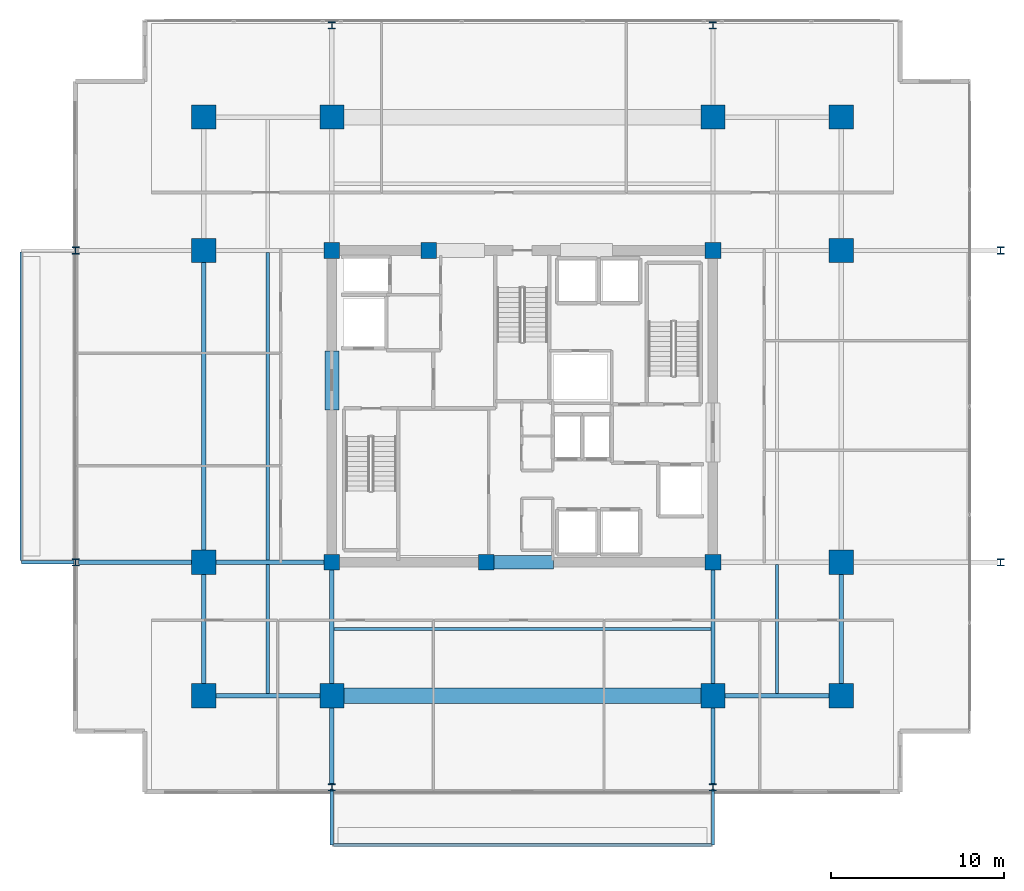
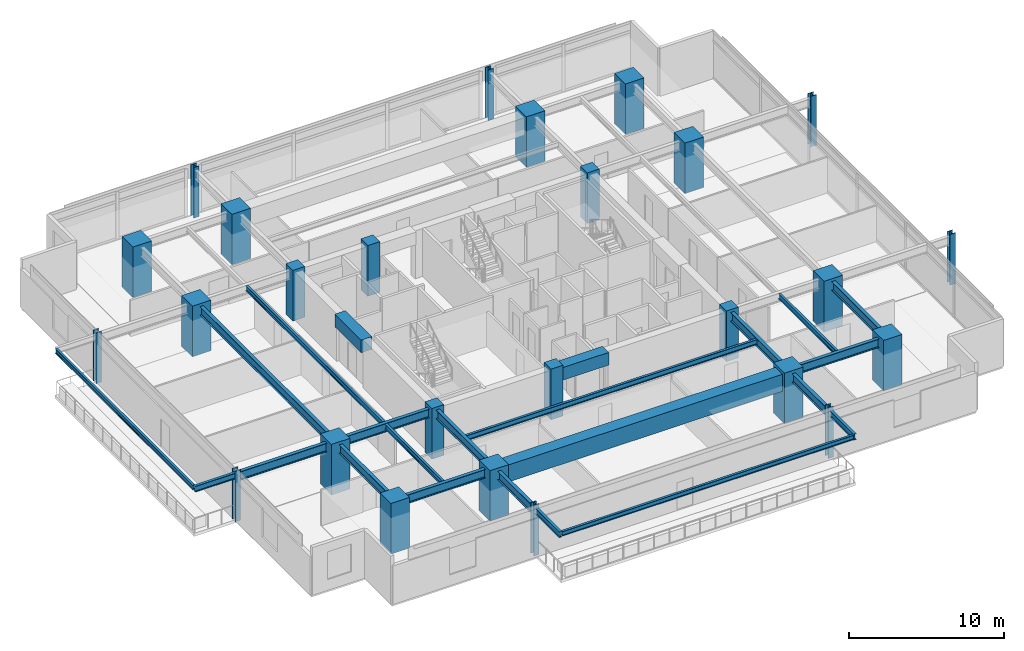
# One storey, part 1 of 22: 26 columns, 23 beams.
"""IFC4 building model written with IfcOpenShell, lengths in metres."""

from ifc_helpers import new_model, si_unit, direction, frame, origin, origin_2d, place, context, subcontext, project, spatial, rectangle, i_section, extrude, material, material_profile, profile_set, type_object, element, save


model = new_model("IFC4")

# Units and contexts
model_context = context("Model", 3, precision=1e-05, world=origin(), true_north=direction((0.0, 1.0)))
body_context = subcontext(model_context, "Body", "Model", "MODEL_VIEW")
ifc_project = project(units=[si_unit("LENGTHUNIT", "METRE"), si_unit("AREAUNIT", "SQUARE_METRE"), si_unit("VOLUMEUNIT", "CUBIC_METRE"), si_unit("PLANEANGLEUNIT", "RADIAN"), si_unit("MASSUNIT", "GRAM", prefix="KILO")], contexts=[model_context])

# Site, building, storey
site_placement = place(None, origin())
site = spatial("IfcSite", under=ifc_project, at=site_placement, CompositionType="ELEMENT")
building_placement = place(site_placement, origin())
building = spatial("IfcBuilding", under=site, at=building_placement, Name="Kovane Verandah Tower", CompositionType="ELEMENT")
storey_placement = place(building_placement, frame((0.0, 0.0, 225.199951171875)))
storey = spatial("IfcBuildingStorey", under=building, at=storey_placement, Name="L52", CompositionType="ELEMENT", Elevation=225.199951171875)

# Columns
ifc_material_1 = material(Name="Concrete C60/75", Category="concrete")
ifc_material_profile_1 = material_profile(ifc_material_1, rectangle(XDim=1.39990234375, YDim=1.39990234375, at=origin_2d()), Name="RC1400x1400")
ifc_profile_set_1 = profile_set([ifc_material_profile_1], Name="Concrete C60/75")
column_type_1 = type_object("IfcColumnType", Name="COL-RC1400", PredefinedType="COLUMN", material=ifc_profile_set_1)
for number, where, z_axis, x_axis, name in (
    (1, (29.0, 10.800048828125, 0.0), (0.0, 0.0, 1.0), (1.0, 0.0, 0.0), "L52 Tower Mega-Column MC-S1"),
    (2, (51.0, 10.800048828125, 0.0), (0.0, 0.0, 1.0), (1.0, 0.0, 0.0), "L52 Tower Mega-Column MC-S2"),
    (3, (29.0, 44.199951171875, 0.0), (0.0, 0.0, 1.0), (1.0, 0.0, 0.0), "L52 Tower Mega-Column MC-N1"),
    (4, (51.0, 44.199951171875, 0.0), (0.0, 0.0, 1.0), (1.0, 0.0, 0.0), "L52 Tower Mega-Column MC-N2"),
    (5, (21.60009765625, 18.5, 0.0), (0.0, 0.0, 1.0), (1.0, 0.0, 0.0), "L52 Tower Mega-Column MC-W1"),
    (6, (21.60009765625, 36.5, 0.0), (0.0, 0.0, 1.0), (1.0, 0.0, 0.0), "L52 Tower Mega-Column MC-W2"),
    (7, (58.39990234375, 18.5, 0.0), (0.0, 0.0, 1.0), (1.0, 0.0, 0.0), "L52 Tower Mega-Column MC-E1"),
    (8, (58.39990234375, 36.5, 0.0), (0.0, 0.0, 1.0), (1.0, 0.0, 0.0), "L52 Tower Mega-Column MC-E2"),
    (9, (21.60009765625, 10.800048828125, 0.0), (0.0, 0.0, 1.0), (1.0, 0.0, 0.0), "L52 Tower Mega-Column MC-SW"),
    (10, (58.39990234375, 10.800048828125, 0.0), (0.0, 0.0, 1.0), (1.0, 0.0, 0.0), "L52 Tower Mega-Column MC-SE"),
    (11, (21.60009765625, 44.199951171875, 0.0), (0.0, 0.0, 1.0), (1.0, 0.0, 0.0), "L52 Tower Mega-Column MC-NW"),
    (12, (58.39990234375, 44.199951171875, 0.0), (0.0, 0.0, 1.0), (1.0, 0.0, 0.0), "L52 Tower Mega-Column MC-NE"),
):
    element("IfcColumn", number, at=place(storey_placement, frame(where, z_axis=z_axis, x_axis=x_axis)), inside=storey, type_object=column_type_1, Name=name, PredefinedType="COLUMN", context=body_context, shape_type="SweptSolid", body=[
        extrude(rectangle(XDim=1.39990234375, YDim=1.39990234375, at=origin_2d()), origin(), (0.0, 0.0, 1.0), 4.0),
    ])
ifc_material_2 = material(Name="Steel S460", Category="steel")
ifc_material_profile_2 = material_profile(ifc_material_2, i_section(OverallWidth=0.403076171875, OverallDepth=0.406494140625, WebThickness=0.026611328125, FlangeThickness=0.04296875, FilletRadius=0.01513671875, at=origin_2d()), Name="UC356x406x340")
ifc_profile_set_2 = profile_set([ifc_material_profile_2], Name="Steel S460")
column_type_2 = type_object("IfcColumnType", Name="COL-UC340", PredefinedType="COLUMN", material=ifc_profile_set_2)
for number, where, z_axis, x_axis, name in (
    (13, (14.199951171875, 18.5, 0.0), (0.0, 0.0, 1.0), (1.0, 0.0, 0.0), "L52 Verandah Perimeter Column VC-W1"),
    (14, (14.199951171875, 36.5, 0.0), (0.0, 0.0, 1.0), (1.0, 0.0, 0.0), "L52 Verandah Perimeter Column VC-W2"),
    (15, (67.60009765625, 18.5, 0.0), (0.0, 0.0, 1.0), (1.0, 0.0, 0.0), "L52 Verandah Perimeter Column VC-E1"),
    (16, (67.60009765625, 36.5, 0.0), (0.0, 0.0, 1.0), (1.0, 0.0, 0.0), "L52 Verandah Perimeter Column VC-E2"),
    (17, (29.0, 5.5, 0.0), (0.0, 0.0, 1.0), (1.0, 0.0, 0.0), "L52 Verandah Perimeter Column VC-S1"),
    (18, (51.0, 5.5, 0.0), (0.0, 0.0, 1.0), (1.0, 0.0, 0.0), "L52 Verandah Perimeter Column VC-S2"),
    (19, (29.0, 49.5, 0.0), (0.0, 0.0, 1.0), (1.0, 0.0, 0.0), "L52 Verandah Perimeter Column VC-N1"),
    (20, (51.0, 49.5, 0.0), (0.0, 0.0, 1.0), (1.0, 0.0, 0.0), "L52 Verandah Perimeter Column VC-N2"),
):
    element("IfcColumn", number, at=place(storey_placement, frame(where, z_axis=z_axis, x_axis=x_axis)), inside=storey, type_object=column_type_2, Name=name, PredefinedType="COLUMN", context=body_context, shape_type="SweptSolid", body=[
        extrude(i_section(OverallWidth=0.403076171875, OverallDepth=0.406494140625, WebThickness=0.026611328125, FlangeThickness=0.04296875, FilletRadius=0.01513671875, at=origin_2d()), origin(), (0.0, 0.0, 1.0), 4.0),
    ])
ifc_material_profile_3 = material_profile(ifc_material_1, rectangle(XDim=0.89990234375, YDim=0.89990234375, at=origin_2d()), Name="RC900x900")
ifc_profile_set_3 = profile_set([ifc_material_profile_3], Name="Concrete C60/75")
column_type_3 = type_object("IfcColumnType", Name="PIL-RC900", PredefinedType="PILASTER", material=ifc_profile_set_3)
for number, where, z_axis, x_axis, name in (
    (21, (29.0, 18.5, 0.0), (0.0, 0.0, 1.0), (1.0, 0.0, 0.0), "L52 Core Pilaster CP-SW"),
    (22, (51.0, 18.5, 0.0), (0.0, 0.0, 1.0), (1.0, 0.0, 0.0), "L52 Core Pilaster CP-SE"),
    (23, (29.0, 36.5, 0.0), (0.0, 0.0, 1.0), (1.0, 0.0, 0.0), "L52 Core Pilaster CP-NW"),
    (24, (51.0, 36.5, 0.0), (0.0, 0.0, 1.0), (1.0, 0.0, 0.0), "L52 Core Pilaster CP-NE"),
    (25, (37.89990234375, 18.5, 0.0), (0.0, 0.0, 1.0), (1.0, 0.0, 0.0), "L52 Core Pilaster CP-S"),
    (26, (34.60009765625, 36.5, 0.0), (0.0, 0.0, 1.0), (1.0, 0.0, 0.0), "L52 Core Pilaster CP-N"),
):
    element("IfcColumn", number, at=place(storey_placement, frame(where, z_axis=z_axis, x_axis=x_axis)), inside=storey, type_object=column_type_3, Name=name, PredefinedType="PILASTER", context=body_context, shape_type="SweptSolid", body=[
        extrude(rectangle(XDim=0.89990234375, YDim=0.89990234375, at=origin_2d()), origin(), (0.0, 0.0, 1.0), 4.0),
    ])

# Beams
ifc_material_profile_4 = material_profile(ifc_material_1, rectangle(XDim=0.800048828125, YDim=1.0, at=origin_2d()), Name="RCB800x1000")
ifc_profile_set_4 = profile_set([ifc_material_profile_4], Name="Concrete C60/75")
beam_type_1 = type_object("IfcBeamType", Name="BM-LINTEL-800x1000", PredefinedType="LINTEL", material=ifc_profile_set_4)
beam_1_placement = place(storey_placement, frame((38.199951171875, 18.5, 3.275146484375), z_axis=(1.0, 0.0, 0.0), x_axis=(0.0, 1.0, 0.0)))
element("IfcBeam", 27, at=beam_1_placement, inside=storey, type_object=beam_type_1, Name="L52 Core Coupling Lintel CL-S", PredefinedType="LINTEL", context=body_context, shape_type="SweptSolid", body=[
    extrude(rectangle(XDim=0.800048828125, YDim=1.0, at=origin_2d()), origin(), (0.0, 0.0, 1.0), 3.60009765625),
])
beam_2_placement = place(storey_placement, frame((29.0, 27.300048828125, 3.275146484375), z_axis=(0.0, 1.0, 0.0), x_axis=(-1.0, 0.0, 0.0)))
element("IfcBeam", 28, at=beam_2_placement, inside=storey, type_object=beam_type_1, Name="L52 Core Coupling Lintel CL-W", PredefinedType="LINTEL", context=body_context, shape_type="SweptSolid", body=[
    extrude(rectangle(XDim=0.800048828125, YDim=1.0, at=origin_2d()), origin(), (0.0, 0.0, 1.0), 3.39990234375),
])
ifc_material_3 = material(Name="Concrete C80/95", Category="concrete")
ifc_material_profile_5 = material_profile(ifc_material_3, rectangle(XDim=0.89990234375, YDim=1.35009765625, at=origin_2d()), Name="RCB900x1350")
ifc_profile_set_5 = profile_set([ifc_material_profile_5], Name="Concrete C80/95")
beam_type_2 = type_object("IfcBeamType", Name="BM-TR-900x1350", PredefinedType="BEAM", material=ifc_profile_set_5)
beam_3_placement = place(storey_placement, frame((29.179931640625, 10.800048828125, 3.10009765625), z_axis=(1.0, 0.0, 0.0), x_axis=(0.0, 1.0, 0.0)))
element("IfcBeam", 29, at=beam_3_placement, inside=storey, type_object=beam_type_2, Name="L52 Primary Tower Girder G-RS2", PredefinedType="BEAM", context=body_context, shape_type="SweptSolid", body=[
    extrude(rectangle(XDim=0.89990234375, YDim=1.35009765625, at=origin_2d()), origin(), (0.0, 0.0, 1.0), 21.64013671875),
])
ifc_material_4 = material(Name="Steel S355", Category="steel")
ifc_material_profile_6 = material_profile(ifc_material_4, i_section(OverallWidth=0.255859375, OverallDepth=0.69287109375, WebThickness=0.014404296875, FlangeThickness=0.023681640625, FilletRadius=0.01513671875, at=origin_2d()), Name="UB686x254x170")
ifc_profile_set_6 = profile_set([ifc_material_profile_6], Name="Steel S355")
beam_type_3 = type_object("IfcBeamType", Name="BM-UB686x170", PredefinedType="BEAM", material=ifc_profile_set_6)
for number, where, z_axis, x_axis, name in (
    (30, (21.780029296875, 10.800048828125, 3.428466796875), (1.0, 0.0, 0.0), (0.0, 1.0, 0.0), "L52 Primary Tower Girder G-RS1"),
    (31, (51.179931640625, 10.800048828125, 3.428466796875), (1.0, 0.0, 0.0), (0.0, 1.0, 0.0), "L52 Primary Tower Girder G-RS3"),
):
    element("IfcBeam", number, at=place(storey_placement, frame(where, z_axis=z_axis, x_axis=x_axis)), inside=storey, type_object=beam_type_3, Name=name, PredefinedType="BEAM", context=body_context, shape_type="SweptSolid", body=[
        extrude(i_section(OverallWidth=0.255859375, OverallDepth=0.69287109375, WebThickness=0.014404296875, FlangeThickness=0.023681640625, FilletRadius=0.01513671875, at=origin_2d()), origin(), (0.0, 0.0, 1.0), 7.0400390625),
    ])
beam_4_placement = place(storey_placement, frame((21.60009765625, 10.97998046875, 3.428466796875), z_axis=(0.0, 1.0, 0.0), x_axis=(-1.0, 0.0, 0.0)))
element("IfcBeam", 32, at=beam_4_placement, inside=storey, type_object=beam_type_3, Name="L52 Primary Tower Girder G-RW1", PredefinedType="BEAM", context=body_context, shape_type="SweptSolid", body=[
    extrude(i_section(OverallWidth=0.255859375, OverallDepth=0.69287109375, WebThickness=0.014404296875, FlangeThickness=0.023681640625, FilletRadius=0.01513671875, at=origin_2d()), origin(), (0.0, 0.0, 1.0), 7.340087890625),
])
beam_5_placement = place(storey_placement, frame((21.60009765625, 18.679931640625, 3.428466796875), z_axis=(0.0, 1.0, 0.0), x_axis=(-1.0, 0.0, 0.0)))
element("IfcBeam", 33, at=beam_5_placement, inside=storey, type_object=beam_type_3, Name="L52 Primary Tower Girder G-RW2", PredefinedType="BEAM", context=body_context, shape_type="SweptSolid", body=[
    extrude(i_section(OverallWidth=0.255859375, OverallDepth=0.69287109375, WebThickness=0.014404296875, FlangeThickness=0.023681640625, FilletRadius=0.01513671875, at=origin_2d()), origin(), (0.0, 0.0, 1.0), 17.64013671875),
])
beam_6_placement = place(storey_placement, frame((58.39990234375, 10.97998046875, 3.428466796875), z_axis=(0.0, 1.0, 0.0), x_axis=(-1.0, 0.0, 0.0)))
element("IfcBeam", 34, at=beam_6_placement, inside=storey, type_object=beam_type_3, Name="L52 Primary Tower Girder G-RE1", PredefinedType="BEAM", context=body_context, shape_type="SweptSolid", body=[
    extrude(i_section(OverallWidth=0.255859375, OverallDepth=0.69287109375, WebThickness=0.014404296875, FlangeThickness=0.023681640625, FilletRadius=0.01513671875, at=origin_2d()), origin(), (0.0, 0.0, 1.0), 7.340087890625),
])
beam_7_placement = place(storey_placement, frame((28.820068359375, 18.5, 3.428466796875), z_axis=(-1.0, 0.0, 0.0), x_axis=(0.0, -1.0, 0.0)))
element("IfcBeam", 35, at=beam_7_placement, inside=storey, type_object=beam_type_3, Name="L52 Primary Tower Girder G-W1", PredefinedType="BEAM", context=body_context, shape_type="SweptSolid", body=[
    extrude(i_section(OverallWidth=0.255859375, OverallDepth=0.69287109375, WebThickness=0.014404296875, FlangeThickness=0.023681640625, FilletRadius=0.01513671875, at=origin_2d()), origin(), (0.0, 0.0, 1.0), 7.0400390625),
])
for number, where, z_axis, x_axis, name in (
    (36, (29.0, 18.320068359375, 3.428466796875), (0.0, -1.0, 0.0), (1.0, 0.0, 0.0), "L52 Primary Tower Girder G-S1"),
    (37, (51.0, 18.320068359375, 3.428466796875), (0.0, -1.0, 0.0), (1.0, 0.0, 0.0), "L52 Primary Tower Girder G-S2"),
):
    element("IfcBeam", number, at=place(storey_placement, frame(where, z_axis=z_axis, x_axis=x_axis)), inside=storey, type_object=beam_type_3, Name=name, PredefinedType="BEAM", context=body_context, shape_type="SweptSolid", body=[
        extrude(i_section(OverallWidth=0.255859375, OverallDepth=0.69287109375, WebThickness=0.014404296875, FlangeThickness=0.023681640625, FilletRadius=0.01513671875, at=origin_2d()), origin(), (0.0, 0.0, 1.0), 7.340087890625),
    ])
beam_8_placement = place(storey_placement, frame((21.419921875, 18.5, 3.41357421875), z_axis=(-1.0, 0.0, 0.0), x_axis=(0.0, -1.0, 0.0)))
element("IfcBeam", 38, at=beam_8_placement, inside=storey, type_object=beam_type_3, Name="L52 Primary Tower Girder G-VW1", PredefinedType="BEAM", context=body_context, shape_type="SweptSolid", body=[
    extrude(i_section(OverallWidth=0.255859375, OverallDepth=0.69287109375, WebThickness=0.014404296875, FlangeThickness=0.023681640625, FilletRadius=0.01513671875, at=origin_2d()), origin(), (0.0, 0.0, 1.0), 7.0400390625),
])
for number, where, z_axis, x_axis, name in (
    (39, (29.0, 10.6201171875, 3.41357421875), (0.0, -1.0, 0.0), (1.0, 0.0, 0.0), "L52 Primary Tower Girder G-VS1"),
    (40, (51.0, 10.6201171875, 3.41357421875), (0.0, -1.0, 0.0), (1.0, 0.0, 0.0), "L52 Primary Tower Girder G-VS2"),
):
    element("IfcBeam", number, at=place(storey_placement, frame(where, z_axis=z_axis, x_axis=x_axis)), inside=storey, type_object=beam_type_3, Name=name, PredefinedType="BEAM", context=body_context, shape_type="SweptSolid", body=[
        extrude(i_section(OverallWidth=0.255859375, OverallDepth=0.69287109375, WebThickness=0.014404296875, FlangeThickness=0.023681640625, FilletRadius=0.01513671875, at=origin_2d()), origin(), (0.0, 0.0, 1.0), 4.940185546875),
    ])
ifc_material_profile_7 = material_profile(ifc_material_4, i_section(OverallWidth=0.179443359375, OverallDepth=0.412841796875, WebThickness=0.009521484375, FlangeThickness=0.01611328125, FilletRadius=0.01025390625, at=origin_2d()), Name="UB406x178x74")
ifc_profile_set_7 = profile_set([ifc_material_profile_7], Name="Steel S355")
beam_type_4 = type_object("IfcBeamType", Name="JST-UB406x74", PredefinedType="JOIST", material=ifc_profile_set_7)
beam_9_placement = place(storey_placement, frame((29.1259765625, 14.64990234375, 3.568603515625), z_axis=(1.0, 0.0, 0.0), x_axis=(0.0, 1.0, 0.0)))
element("IfcBeam", 41, at=beam_9_placement, inside=storey, type_object=beam_type_4, Name="L52 Secondary Composite Joist J-S1", PredefinedType="JOIST", context=body_context, shape_type="SweptSolid", body=[
    extrude(i_section(OverallWidth=0.179443359375, OverallDepth=0.412841796875, WebThickness=0.009521484375, FlangeThickness=0.01611328125, FilletRadius=0.01025390625, at=origin_2d()), origin(), (0.0, 0.0, 1.0), 21.748046875),
])
beam_10_placement = place(storey_placement, frame((25.300048828125, 18.6259765625, 3.568603515625), z_axis=(0.0, 1.0, 0.0), x_axis=(-1.0, 0.0, 0.0)))
element("IfcBeam", 42, at=beam_10_placement, inside=storey, type_object=beam_type_4, Name="L52 Secondary Composite Joist J-W1", PredefinedType="JOIST", context=body_context, shape_type="SweptSolid", body=[
    extrude(i_section(OverallWidth=0.179443359375, OverallDepth=0.412841796875, WebThickness=0.009521484375, FlangeThickness=0.01611328125, FilletRadius=0.01025390625, at=origin_2d()), origin(), (0.0, 0.0, 1.0), 17.748046875),
])
for number, where, z_axis, x_axis, name in (
    (43, (25.300048828125, 10.92578125, 3.568603515625), (0.0, 1.0, 0.0), (-1.0, 0.0, 0.0), "L52 Secondary Composite Joist J-SW1"),
    (44, (54.699951171875, 10.92578125, 3.568603515625), (0.0, 1.0, 0.0), (-1.0, 0.0, 0.0), "L52 Secondary Composite Joist J-SE1"),
):
    element("IfcBeam", number, at=place(storey_placement, frame(where, z_axis=z_axis, x_axis=x_axis)), inside=storey, type_object=beam_type_4, Name=name, PredefinedType="JOIST", context=body_context, shape_type="SweptSolid", body=[
        extrude(i_section(OverallWidth=0.179443359375, OverallDepth=0.412841796875, WebThickness=0.009521484375, FlangeThickness=0.01611328125, FilletRadius=0.01025390625, at=origin_2d()), origin(), (0.0, 0.0, 1.0), 7.4482421875),
    ])
ifc_material_profile_8 = material_profile(ifc_material_4, i_section(OverallWidth=0.19287109375, OverallDepth=0.46728515625, WebThickness=0.011474609375, FlangeThickness=0.01953125, FilletRadius=0.01025390625, at=origin_2d()), Name="UB457x191x98")
ifc_profile_set_8 = profile_set([ifc_material_profile_8], Name="Steel S355")
beam_type_5 = type_object("IfcBeamType", Name="JST-UB457x98", PredefinedType="JOIST", material=ifc_profile_set_8)
for number, where, z_axis, x_axis, name in (
    (45, (29.0, 5.419921875, 3.5263671875), (0.0, -1.0, 0.0), (1.0, 0.0, 0.0), "L52 South Planter Girder 1"),
    (46, (51.0, 5.419921875, 3.5263671875), (0.0, -1.0, 0.0), (1.0, 0.0, 0.0), "L52 South Planter Girder 2"),
):
    element("IfcBeam", number, at=place(storey_placement, frame(where, z_axis=z_axis, x_axis=x_axis)), inside=storey, type_object=beam_type_5, Name=name, PredefinedType="JOIST", context=body_context, shape_type="SweptSolid", body=[
        extrude(i_section(OverallWidth=0.19287109375, OverallDepth=0.46728515625, WebThickness=0.011474609375, FlangeThickness=0.01953125, FilletRadius=0.01025390625, at=origin_2d()), origin(), (0.0, 0.0, 1.0), 3.22998046875),
    ])
beam_11_placement = place(storey_placement, frame((14.1201171875, 18.5, 3.5263671875), z_axis=(-1.0, 0.0, 0.0), x_axis=(0.0, -1.0, 0.0)))
element("IfcBeam", 47, at=beam_11_placement, inside=storey, type_object=beam_type_5, Name="L52 West Planter Girder 1", PredefinedType="JOIST", context=body_context, shape_type="SweptSolid", body=[
    extrude(i_section(OverallWidth=0.19287109375, OverallDepth=0.46728515625, WebThickness=0.011474609375, FlangeThickness=0.01953125, FilletRadius=0.01025390625, at=origin_2d()), origin(), (0.0, 0.0, 1.0), 3.039306640625),
])
ifc_material_profile_9 = material_profile(ifc_material_4, i_section(OverallWidth=0.173095703125, OverallDepth=0.36328125, WebThickness=0.009033203125, FlangeThickness=0.015625, FilletRadius=0.01025390625, at=origin_2d()), Name="UB356x171x67")
ifc_profile_set_9 = profile_set([ifc_material_profile_9], Name="Steel S355")
beam_type_6 = type_object("IfcBeamType", Name="SPD-UB356x67", PredefinedType="USERDEFINED", material=ifc_profile_set_9)
beam_12_placement = place(storey_placement, frame((29.094482421875, 2.18994140625, 3.578369140625), z_axis=(1.0, 0.0, 0.0), x_axis=(0.0, 1.0, 0.0)))
element("IfcBeam", 48, at=beam_12_placement, inside=storey, type_object=beam_type_6, Name="L52 South Planter Edge Spandrel", ObjectType="SPANDREL", PredefinedType="USERDEFINED", context=body_context, shape_type="SweptSolid", body=[
    extrude(i_section(OverallWidth=0.173095703125, OverallDepth=0.36328125, WebThickness=0.009033203125, FlangeThickness=0.015625, FilletRadius=0.01025390625, at=origin_2d()), origin(), (0.0, 0.0, 1.0), 21.81103515625),
])
beam_13_placement = place(storey_placement, frame((11.080810546875, 18.594482421875, 3.578369140625), z_axis=(0.0, 1.0, 0.0), x_axis=(-1.0, 0.0, 0.0)))
element("IfcBeam", 49, at=beam_13_placement, inside=storey, type_object=beam_type_6, Name="L52 West Planter Edge Spandrel", ObjectType="SPANDREL", PredefinedType="USERDEFINED", context=body_context, shape_type="SweptSolid", body=[
    extrude(i_section(OverallWidth=0.173095703125, OverallDepth=0.36328125, WebThickness=0.009033203125, FlangeThickness=0.015625, FilletRadius=0.01025390625, at=origin_2d()), origin(), (0.0, 0.0, 1.0), 17.81103515625),
])

save(model, "model.ifc")
